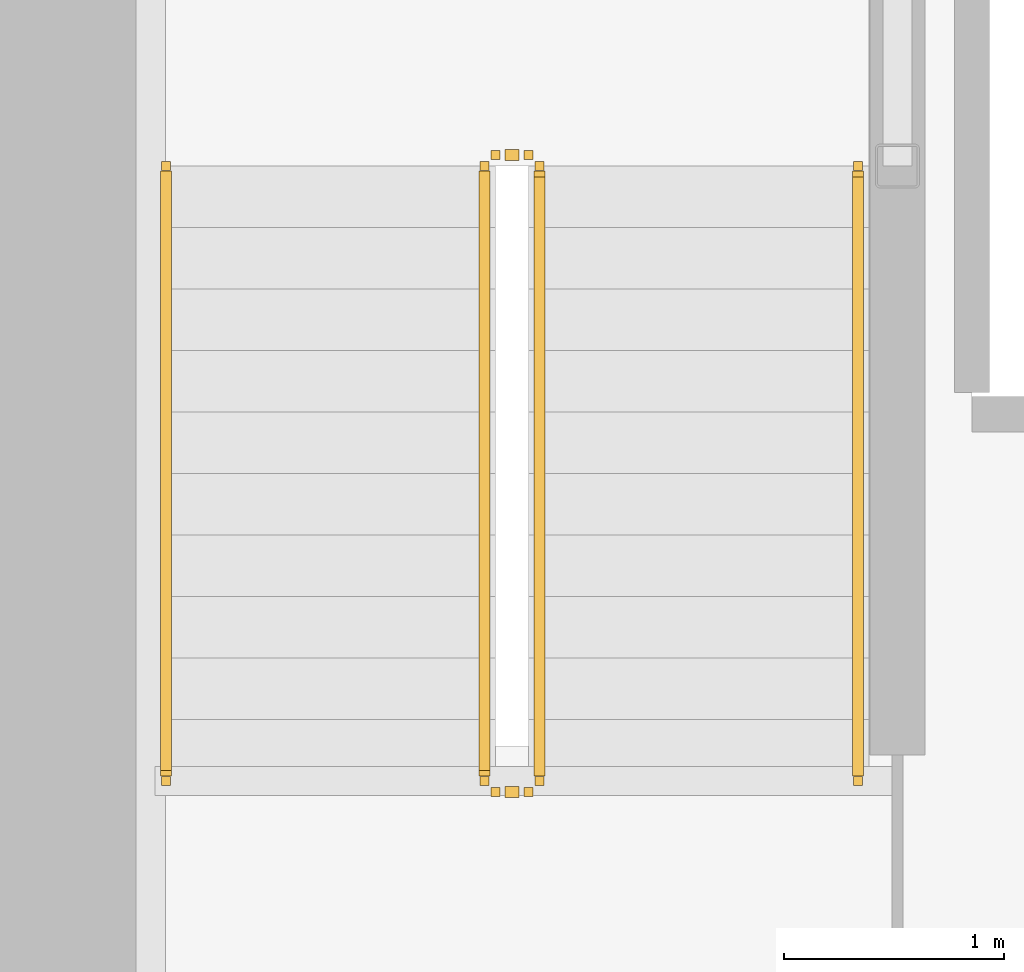
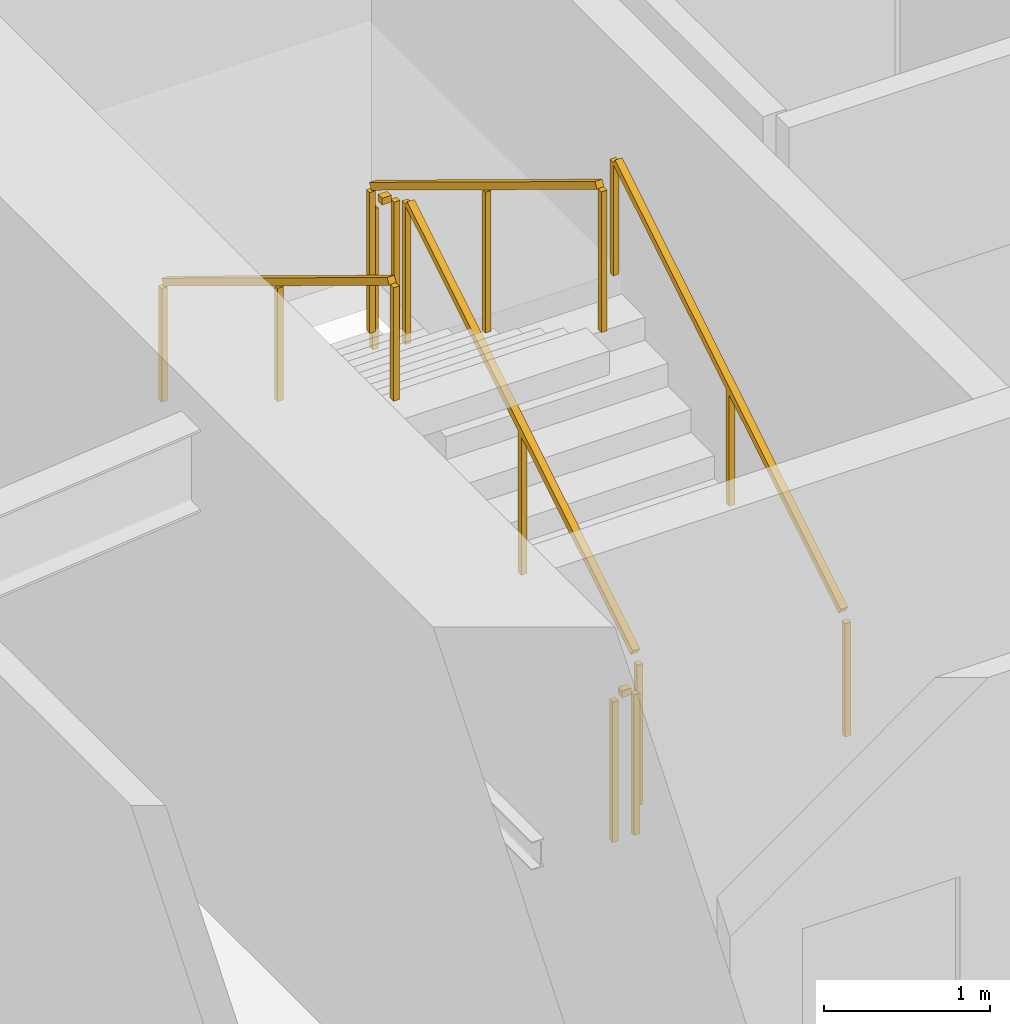
# One storey, part 27 of 32: 6 railings.
"""IFC4 building model written with IfcOpenShell, lengths in metres."""

import ifcopenshell
import ifcopenshell.guid

model = None  # the IFC model being written
_history = None  # IfcOwnerHistory: only IFC2X3 demands one
_inside = {}  # id of a spatial element -> (the spatial element, [elements in it])
_under = {}  # id of a project, library or spatial element -> (it, [spatial elements below it])
_declared = {}  # id of a project -> (the project, [libraries it declares])
_typed = {}  # id of a type object -> (the type object, [elements of that type])
_made_of = {}  # id of a material, layer set ... -> (it, [elements and type objects made of it])


def new_model(schema):
    """Start an empty IFC model of exactly this schema.

    Asked for "IFC4X3", IfcOpenShell would pick the latest addendum, in which some entities
    have other attributes; the version numbers below select the first issue.
    IFC2X3 requires an IfcOwnerHistory on every rooted entity: one is made here for all.
    """
    global model, _history
    if schema == "IFC4X3":
        model = ifcopenshell.file(schema_version=(4, 3, 0, 0))
    else:
        model = ifcopenshell.file(schema=schema)
    _inside.clear()
    _under.clear()
    _declared.clear()
    _typed.clear()
    _made_of.clear()
    _history = None
    if model.schema == "IFC2X3":
        org = make("IfcOrganization", Name="unknown")
        user = make(
            "IfcPersonAndOrganization",
            ThePerson=make("IfcPerson", FamilyName="unknown"),
            TheOrganization=org,
        )
        app = make(
            "IfcApplication",
            ApplicationDeveloper=org,
            Version="unknown",
            ApplicationFullName="unknown",
            ApplicationIdentifier="unknown",
        )
        _history = make(
            "IfcOwnerHistory",
            OwningUser=user,
            OwningApplication=app,
            ChangeAction="ADDED",
            CreationDate=0,
        )
    return model


def make(cls, **values):
    """One entity of the class cls with the attributes given. An attribute that is None is left unset."""
    return model.create_entity(
        cls, **{name: value for name, value in values.items() if value is not None}
    )


def rooted(cls, **values):
    """An entity with a GlobalId (a new one), such as an element, a storey or a relation."""
    return make(cls, GlobalId=ifcopenshell.guid.new(), OwnerHistory=_history, **values)


def si_unit(unit_type, name, prefix=None):
    """IfcSIUnit, for example si_unit("LENGTHUNIT", "METRE", prefix="MILLI")."""
    return make("IfcSIUnit", UnitType=unit_type, Prefix=prefix, Name=name)


def assignment(units):
    """IfcUnitAssignment: the units of a project."""
    return None if units is None else make("IfcUnitAssignment", Units=units)


def point(xyz):
    """IfcCartesianPoint."""
    return None if xyz is None else make("IfcCartesianPoint", Coordinates=xyz)


def direction(xyz):
    """IfcDirection."""
    return None if xyz is None else make("IfcDirection", DirectionRatios=xyz)


def frame(location, z_axis=None, x_axis=None):
    """IfcAxis2Placement3D, a coordinate frame: its origin and axes. An axis left out is left unset."""
    return make(
        "IfcAxis2Placement3D",
        Location=point(location),
        Axis=direction(z_axis),
        RefDirection=direction(x_axis),
    )


def frame_2d(location, x_axis=None):
    """IfcAxis2Placement2D, a coordinate frame in the plane: its origin and x axis."""
    return make(
        "IfcAxis2Placement2D", Location=point(location), RefDirection=direction(x_axis)
    )


def origin():
    """The frame at (0, 0, 0) with its axes left unset."""
    return frame((0.0, 0.0, 0.0))


def origin_2d():
    """The frame at (0, 0) in the plane with its x axis left unset."""
    return frame_2d((0.0, 0.0))


def place(relative_to, where):
    """IfcLocalPlacement: puts the frame where relative to a parent placement (None: the world)."""
    return make(
        "IfcLocalPlacement", PlacementRelTo=relative_to, RelativePlacement=where
    )


def context(
    kind, dimensions, precision=None, world=None, true_north=None, identifier=None
):
    """IfcGeometricRepresentationContext, for example the 3D "Model" context."""
    return make(
        "IfcGeometricRepresentationContext",
        ContextIdentifier=identifier,
        ContextType=kind,
        CoordinateSpaceDimension=dimensions,
        Precision=precision,
        WorldCoordinateSystem=world,
        TrueNorth=true_north,
    )


def subcontext(parent, identifier, kind, view, scale=None):
    """IfcGeometricRepresentationSubContext, for example "Body" below "Model"."""
    return make(
        "IfcGeometricRepresentationSubContext",
        ContextIdentifier=identifier,
        ContextType=kind,
        ParentContext=parent,
        TargetScale=scale,
        TargetView=view,
    )


def project(units=None, contexts=None):
    """IfcProject with its units and contexts."""
    return rooted(
        "IfcProject",
        Name="project",
        RepresentationContexts=contexts,
        UnitsInContext=assignment(units),
    )


def spatial(cls, under=None, at=None, **own):
    """A site, building, storey or space (cls), placed at a placement, below another one or the project."""
    s = rooted(cls, ObjectPlacement=at, **own)
    if under is not None:
        _under.setdefault(under.id(), (under, []))[1].append(s)
    return s


def profile(cls, at=None, kind="AREA", **sizes):
    """A parametric profile (cls). Its sizes go by their IFC names, for example OverallWidth=200.0."""
    return make(cls, ProfileType=kind, Position=at, **sizes)


def rectangle(**sizes):
    """IfcRectangleProfileDef."""
    return profile("IfcRectangleProfileDef", **sizes)


def extrude(swept, where, along, depth):
    """IfcExtrudedAreaSolid: the profile swept, set in the frame where, extruded along a direction by depth."""
    return make(
        "IfcExtrudedAreaSolid",
        SweptArea=swept,
        Position=where,
        ExtrudedDirection=direction(along),
        Depth=depth,
    )


def shape(context_of_items, identifier, shape_type, items):
    """IfcShapeRepresentation: the items that make up one representation, for example the "Body"."""
    return make(
        "IfcShapeRepresentation",
        ContextOfItems=context_of_items,
        RepresentationIdentifier=identifier,
        RepresentationType=shape_type,
        Items=items,
    )


def material(Name=None, Category=None):
    """IfcMaterial."""
    return make("IfcMaterial", Name=Name, Category=Category)


def made_of(thing, what):
    """Note that an element or type object is made of a material, layer set ...; save() writes the relation."""
    if what is not None:
        _made_of.setdefault(what.id(), (what, []))[1].append(thing)
    return thing


def type_object(cls, material=None, **own):
    """A type object (cls), such as IfcWallType, which elements share."""
    return made_of(rooted(cls, **own), material)


def element(
    cls,
    number,
    at=None,
    inside=None,
    cuts=None,
    type_object=None,
    material=None,
    context=None,
    identifier="Body",
    shape_type=None,
    held_by="IfcProductDefinitionShape",
    body=None,
    shapes=None,
    **own,
):
    """One element of the class cls, such as IfcWall. Its Tag is "e" and its number.

    at: its placement. inside: the storey or other place that contains it. cuts: it is an
    opening in that element (IfcRelVoidsElement). A single representation is given by context,
    identifier, shape_type and body (its items); several are given by shapes. held_by: the class
    of the entity that holds the representations. save() writes the other relations.
    """
    e = rooted(cls, Tag="e%d" % number, ObjectPlacement=at, **own)
    if body is not None:
        shapes = [shape(context, identifier, shape_type, body)]
    if shapes is not None:
        e.Representation = make(held_by, Representations=shapes)
    if inside is not None:
        _inside.setdefault(inside.id(), (inside, []))[1].append(e)
    if cuts is not None:
        rooted(
            "IfcRelVoidsElement", RelatingBuildingElement=cuts, RelatedOpeningElement=e
        )
    if type_object is not None:
        _typed.setdefault(type_object.id(), (type_object, []))[1].append(e)
    return made_of(e, material)


def aggregate(whole, parts):
    """IfcRelAggregates: a whole, such as a stair, and the parts it consists of."""
    return rooted("IfcRelAggregates", RelatingObject=whole, RelatedObjects=parts)


def save(model, path):
    """Write the relations noted so far, then the file.

    IfcRelAggregates (storeys below a building ...), IfcRelContainedInSpatialStructure (elements
    in a storey), IfcRelDefinesByType, IfcRelAssociatesMaterial and IfcRelDeclares: one each for
    every whole, place, type object, material and project.
    """
    for whole, parts in _under.values():
        aggregate(whole, parts)
    for where, things in _inside.values():
        rooted(
            "IfcRelContainedInSpatialStructure",
            RelatedElements=things,
            RelatingStructure=where,
        )
    for kind, things in _typed.values():
        rooted("IfcRelDefinesByType", RelatedObjects=things, RelatingType=kind)
    for what, things in _made_of.values():
        rooted("IfcRelAssociatesMaterial", RelatedObjects=things, RelatingMaterial=what)
    for by, libraries in _declared.values():
        rooted("IfcRelDeclares", RelatingContext=by, RelatedDefinitions=libraries)
    model.write(path)


model = new_model("IFC4")

# Units and contexts
model_context = context("Model", 3, precision=1e-05, world=origin(), true_north=direction((0.0, 1.0)))
body_context = subcontext(model_context, "Body", "Model", "MODEL_VIEW")
ifc_project = project(units=[si_unit("LENGTHUNIT", "METRE"), si_unit("AREAUNIT", "SQUARE_METRE"), si_unit("VOLUMEUNIT", "CUBIC_METRE"), si_unit("PLANEANGLEUNIT", "RADIAN"), si_unit("MASSUNIT", "GRAM", prefix="KILO")], contexts=[model_context])

# Site, building, storey
site_placement = place(None, origin())
site = spatial("IfcSite", under=ifc_project, at=site_placement, CompositionType="ELEMENT")
building_placement = place(site_placement, origin())
building = spatial("IfcBuilding", under=site, at=building_placement, Name="Kazma Halo Residences", CompositionType="ELEMENT")
storey_placement = place(building_placement, frame((0.0, 0.0, 63.89990234375)))
storey = spatial("IfcBuildingStorey", under=building, at=storey_placement, Name="L15", CompositionType="ELEMENT", Elevation=63.89990234375)

# Railings
ifc_material_1 = material(Name="Painted Steel S355", Category="steel")
railing_type_1 = type_object("IfcRailingType", Name="RLG-STAIR-GRD-1100", PredefinedType="GUARDRAIL", material=ifc_material_1)
railing_1_placement = place(storey_placement, frame((39.550048828125, 39.949951171875, 0.170654296875)))
element("IfcRailing", 1, at=railing_1_placement, inside=storey, type_object=railing_type_1, Name="L15 ST-01 stair guard 1", PredefinedType="GUARDRAIL", context=body_context, shape_type="SweptSolid", body=[
    extrude(rectangle(XDim=0.050048828125, YDim=0.050048828125, at=origin_2d()), frame((0.0, 0.036376953125, 1.09716796875), z_axis=(0.0, 0.854202870247, 0.519939858505), x_axis=(-1.0, 0.0, 0.0)), (0.0, 0.0, 1.0), 3.19287109375),
    extrude(rectangle(XDim=0.0400390625, YDim=0.0400390625, at=origin_2d()), origin(), (0.0, 0.0, 1.0), 1.0380859375),
    extrude(rectangle(XDim=0.0400390625, YDim=0.0400390625, at=origin_2d()), frame((0.0, 1.39990234375, 0.85205078125)), (0.0, 0.0, 1.0), 1.0380859375),
    extrude(rectangle(XDim=0.0400390625, YDim=0.0400390625, at=origin_2d()), frame((0.0, 2.800048828125, 1.704345703125)), (0.0, 0.0, 1.0), 1.0380859375),
])
railing_2_placement = place(storey_placement, frame((39.5, 42.800048828125, 1.875)))
element("IfcRailing", 2, at=railing_2_placement, inside=storey, type_object=railing_type_1, Name="L15 ST-01 stair guard 2", PredefinedType="GUARDRAIL", context=body_context, shape_type="SweptSolid", body=[
    extrude(rectangle(XDim=0.050048828125, YDim=0.050048828125, at=origin_2d()), frame((-0.04248046875, 0.0, 1.0751953125), z_axis=(-1.0, 0.0, 0.0), x_axis=(0.0, -1.0, 0.0)), (0.0, 0.0, 1.0), 0.06494140625),
    extrude(rectangle(XDim=0.0400390625, YDim=0.0400390625, at=origin_2d()), origin(), (0.0, 0.0, 1.0), 1.0380859375),
    extrude(rectangle(XDim=0.0400390625, YDim=0.0400390625, at=origin_2d()), frame((-0.14990234375, 0.0, 0.0)), (0.0, 0.0, 1.0), 1.0380859375),
])
railing_3_placement = place(storey_placement, frame((39.300048828125, 42.75, 2.045654296875)))
element("IfcRailing", 3, at=railing_3_placement, inside=storey, type_object=railing_type_1, Name="L15 ST-01 stair guard 3", PredefinedType="GUARDRAIL", context=body_context, shape_type="SweptSolid", body=[
    extrude(rectangle(XDim=0.050048828125, YDim=0.050048828125, at=origin_2d()), frame((0.0, -0.036376953125, 1.09716796875), z_axis=(0.0, -0.854202870247, 0.519939858505), x_axis=(1.0, 0.0, 0.0)), (0.0, 0.0, 1.0), 3.19287109375),
    extrude(rectangle(XDim=0.0400390625, YDim=0.0400390625, at=origin_2d()), origin(), (0.0, 0.0, 1.0), 1.0380859375),
    extrude(rectangle(XDim=0.0400390625, YDim=0.0400390625, at=origin_2d()), frame((0.0, -1.39990234375, 0.85205078125)), (0.0, 0.0, 1.0), 1.0380859375),
    extrude(rectangle(XDim=0.0400390625, YDim=0.0400390625, at=origin_2d()), frame((0.0, -2.800048828125, 1.704345703125)), (0.0, 0.0, 1.0), 1.0380859375),
])
railing_4_placement = place(storey_placement, frame((39.5, 39.89990234375, 0.0)))
element("IfcRailing", 4, at=railing_4_placement, inside=storey, type_object=railing_type_1, Name="L15 ST-01 stair guard 4", PredefinedType="GUARDRAIL", context=body_context, shape_type="SweptSolid", body=[
    extrude(rectangle(XDim=0.050048828125, YDim=0.050048828125, at=origin_2d()), frame((-0.04248046875, 0.0, 1.0751953125), z_axis=(-1.0, 0.0, 0.0), x_axis=(0.0, -1.0, 0.0)), (0.0, 0.0, 1.0), 0.06494140625),
    extrude(rectangle(XDim=0.0400390625, YDim=0.0400390625, at=origin_2d()), origin(), (0.0, 0.0, 1.0), 1.0380859375),
    extrude(rectangle(XDim=0.0400390625, YDim=0.0400390625, at=origin_2d()), frame((-0.14990234375, 0.0, 0.0)), (0.0, 0.0, 1.0), 1.0380859375),
])
ifc_material_2 = material(Name="Brushed Stainless Steel", Category="steel")
railing_type_2 = type_object("IfcRailingType", Name="RLG-STAIR-HND-900", PredefinedType="HANDRAIL", material=ifc_material_2)
railing_5_placement = place(storey_placement, frame((41.0, 39.949951171875, 0.170654296875)))
element("IfcRailing", 5, at=railing_5_placement, inside=storey, type_object=railing_type_2, Name="L15 ST-01 stair handrail 1", PredefinedType="HANDRAIL", context=body_context, shape_type="SweptSolid", body=[
    extrude(rectangle(XDim=0.050048828125, YDim=0.050048828125, at=origin_2d()), frame((0.0, 0.036376953125, 0.89697265625), z_axis=(0.0, 0.854202870247, 0.519939858505), x_axis=(-1.0, 0.0, 0.0)), (0.0, 0.0, 1.0), 3.19287109375),
    extrude(rectangle(XDim=0.0400390625, YDim=0.0400390625, at=origin_2d()), origin(), (0.0, 0.0, 1.0), 0.837890625),
    extrude(rectangle(XDim=0.0400390625, YDim=0.0400390625, at=origin_2d()), frame((0.0, 1.39990234375, 0.85205078125)), (0.0, 0.0, 1.0), 0.837890625),
    extrude(rectangle(XDim=0.0400390625, YDim=0.0400390625, at=origin_2d()), frame((0.0, 2.800048828125, 1.704345703125)), (0.0, 0.0, 1.0), 0.837890625),
])
railing_6_placement = place(storey_placement, frame((37.85009765625, 42.75, 2.045654296875)))
element("IfcRailing", 6, at=railing_6_placement, inside=storey, type_object=railing_type_2, Name="L15 ST-01 stair handrail 2", PredefinedType="HANDRAIL", context=body_context, shape_type="SweptSolid", body=[
    extrude(rectangle(XDim=0.050048828125, YDim=0.050048828125, at=origin_2d()), frame((0.0, -0.036376953125, 0.89697265625), z_axis=(0.0, -0.854202870247, 0.519939858505), x_axis=(1.0, 0.0, 0.0)), (0.0, 0.0, 1.0), 3.19287109375),
    extrude(rectangle(XDim=0.0400390625, YDim=0.0400390625, at=origin_2d()), origin(), (0.0, 0.0, 1.0), 0.837890625),
    extrude(rectangle(XDim=0.0400390625, YDim=0.0400390625, at=origin_2d()), frame((0.0, -1.39990234375, 0.85205078125)), (0.0, 0.0, 1.0), 0.837890625),
    extrude(rectangle(XDim=0.0400390625, YDim=0.0400390625, at=origin_2d()), frame((0.0, -2.800048828125, 1.704345703125)), (0.0, 0.0, 1.0), 0.837890625),
])

save(model, "model.ifc")
